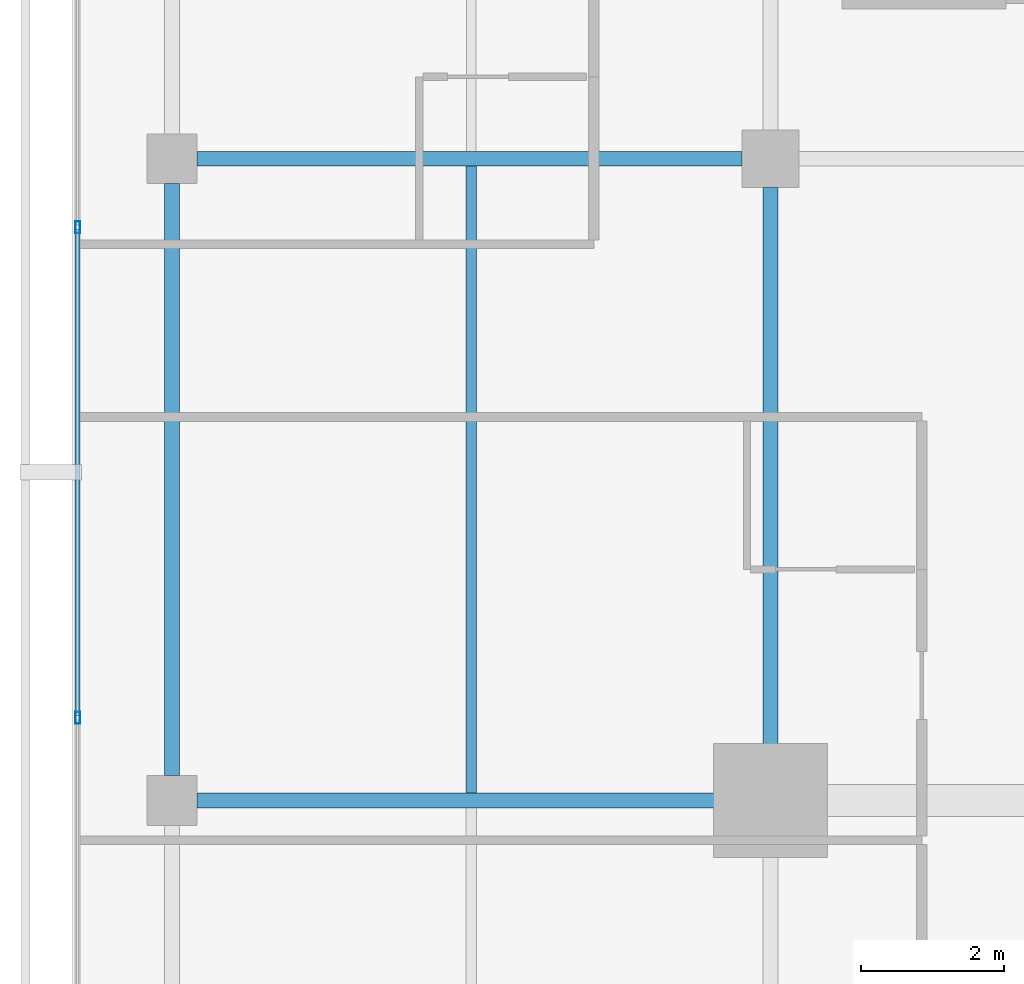
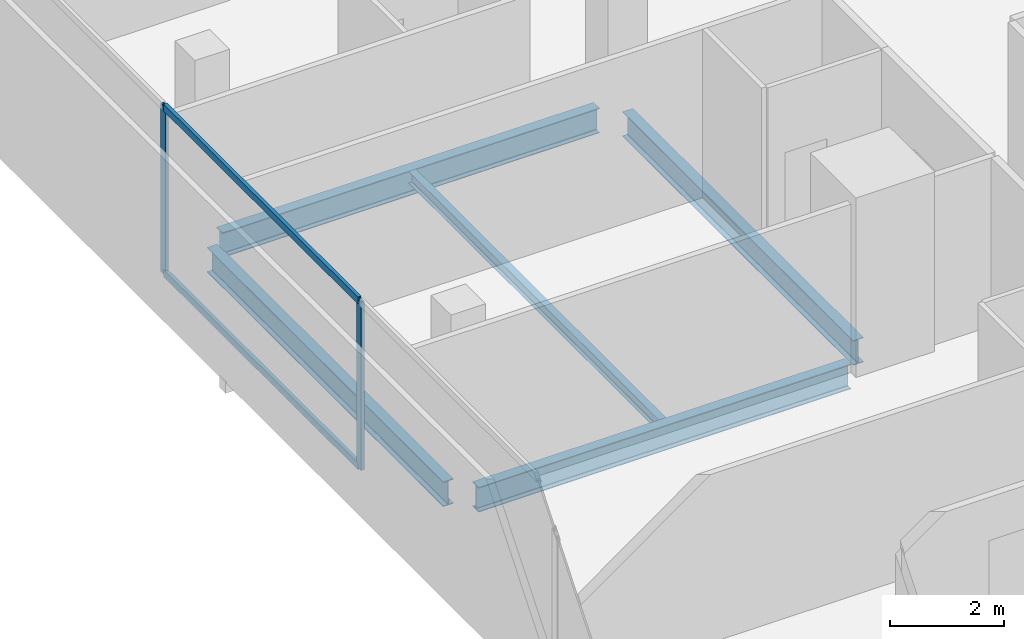
# One storey, part 8 of 26: 5 beams, 4 members, 1 element without a shape of its own.
"""IFC4 building model written with IfcOpenShell, lengths in metres."""

from ifc_helpers import new_model, si_unit, direction, frame, origin, origin_2d, place, context, subcontext, project, spatial, hollow_rectangle, i_section, extrude, material, layer, layer_set, material_profile, profile_set, type_object, element, aggregate, save


model = new_model("IFC4")

# Units and contexts
model_context = context("Model", 3, precision=1e-05, world=origin(), true_north=direction((0.0, 1.0)))
body_context = subcontext(model_context, "Body", "Model", "MODEL_VIEW")
ifc_project = project(units=[si_unit("LENGTHUNIT", "METRE"), si_unit("AREAUNIT", "SQUARE_METRE"), si_unit("VOLUMEUNIT", "CUBIC_METRE"), si_unit("PLANEANGLEUNIT", "RADIAN"), si_unit("MASSUNIT", "GRAM", prefix="KILO")], contexts=[model_context])

# Site, building, storey
site_placement = place(None, origin())
site = spatial("IfcSite", under=ifc_project, at=site_placement, CompositionType="ELEMENT")
building_placement = place(site_placement, origin())
building = spatial("IfcBuilding", under=site, at=building_placement, Name="Maruvema Waterfront Hotel and Observation Tower", CompositionType="ELEMENT")
storey_placement = place(building_placement, frame((0.0, 0.0, 266.35009765625)))
storey = spatial("IfcBuildingStorey", under=building, at=storey_placement, Name="L65", CompositionType="ELEMENT", Elevation=266.35009765625)

# Curtain wall, members
ifc_material_1 = material(Name="Anodised bronze aluminium and solar-control low-E IGU", Category="aluminium")
ifc_layer = layer(ifc_material_1, 0.159912109375, Name="Zone 3 Champagne Inner Thermal Curtain Wall System CW-04")
ifc_layer_set = layer_set([ifc_layer], Name="Anodised bronze aluminium and solar-control low-E IGU")
curtain_wall_type = type_object("IfcCurtainWallType", Name="Zone 3 Champagne Inner Thermal Curtain Wall System CW-04", PredefinedType="USERDEFINED", material=ifc_layer_set)
curtain_wall_placement = place(storey_placement, origin())
curtain_wall = element("IfcCurtainWall", 1, at=curtain_wall_placement, inside=storey, type_object=curtain_wall_type, Name="L65 Curtain Wall CW-L65-W", ObjectType="UNITISED CURTAIN WALL", PredefinedType="USERDEFINED")
ifc_material_2 = material(Name="Anodised architectural bronze aluminium", Category="aluminium")
ifc_material_profile_1 = material_profile(ifc_material_2, hollow_rectangle(XDim=0.070068359375, YDim=0.14990234375, WallThickness=0.00390625, at=origin_2d()), Name="ALU-T70x150")
ifc_profile_set_1 = profile_set([ifc_material_profile_1], Name="Anodised architectural bronze aluminium")
member_type_1 = type_object("IfcMemberType", Name="Curtain Wall Horizontal Transom ALU-T70x150", PredefinedType="USERDEFINED", material=ifc_profile_set_1)
member_1_placement = place(storey_placement, frame((15.47998046875, 35.010009765625, 0.02978515625), z_axis=(0.0, -1.0, 0.0), x_axis=(1.0, 0.0, 0.0)))
member_1 = element("IfcMember", 2, at=member_1_placement, type_object=member_type_1, Name="CW-04 transom 3.1", ObjectType="TRANSOM", PredefinedType="USERDEFINED", context=body_context, shape_type="SweptSolid", body=[
    extrude(hollow_rectangle(XDim=0.070068359375, YDim=0.14990234375, WallThickness=0.00390625, at=origin_2d()), origin(), (0.0, 0.0, 1.0), 6.820068359375),
])
member_2_placement = place(storey_placement, frame((15.47998046875, 35.010009765625, 3.579833984375), z_axis=(0.0, -1.0, 0.0), x_axis=(1.0, 0.0, 0.0)))
member_2 = element("IfcMember", 3, at=member_2_placement, type_object=member_type_1, Name="CW-04 transom 3.2", ObjectType="TRANSOM", PredefinedType="USERDEFINED", context=body_context, shape_type="SweptSolid", body=[
    extrude(hollow_rectangle(XDim=0.070068359375, YDim=0.14990234375, WallThickness=0.00390625, at=origin_2d()), origin(), (0.0, 0.0, 1.0), 6.820068359375),
])
ifc_material_3 = material(Name="Anodised architectural bronze aluminium", Category="aluminium")
ifc_material_profile_2 = material_profile(ifc_material_3, hollow_rectangle(XDim=0.06494140625, YDim=0.1650390625, WallThickness=0.00390625, at=origin_2d()), Name="ALU-M65x165")
ifc_profile_set_2 = profile_set([ifc_material_profile_2], Name="Anodised architectural bronze aluminium")
member_type_2 = type_object("IfcMemberType", Name="Curtain Wall Primary Mullion ALU-M65x165", PredefinedType="MULLION", material=ifc_profile_set_2)
member_3_placement = place(storey_placement, frame((15.47998046875, 35.0400390625, 0.0), z_axis=(0.0, 0.0, 1.0), x_axis=(1.0, 0.0, 0.0)))
member_3 = element("IfcMember", 4, at=member_3_placement, type_object=member_type_2, Name="CW-04 mullion 3", PredefinedType="MULLION", context=body_context, shape_type="SweptSolid", body=[
    extrude(hollow_rectangle(XDim=0.06494140625, YDim=0.1650390625, WallThickness=0.00390625, at=origin_2d()), origin(), (0.0, 0.0, 1.0), 3.60986328125),
])
member_4_placement = place(storey_placement, frame((15.47998046875, 28.159912109375, 0.0), z_axis=(0.0, 0.0, 1.0), x_axis=(1.0, 0.0, 0.0)))
member_4 = element("IfcMember", 5, at=member_4_placement, type_object=member_type_2, Name="CW-04 mullion 4", PredefinedType="MULLION", context=body_context, shape_type="SweptSolid", body=[
    extrude(hollow_rectangle(XDim=0.06494140625, YDim=0.1650390625, WallThickness=0.00390625, at=origin_2d()), origin(), (0.0, 0.0, 1.0), 3.60986328125),
])
aggregate(curtain_wall, [member_3, member_4, member_1, member_2])

# Beams
ifc_material_4 = material(Name="Steel ASTM A572 Grade 50", Category="steel")
ifc_material_profile_3 = material_profile(ifc_material_4, i_section(OverallWidth=0.208984375, OverallDepth=0.532958984375, WebThickness=0.01025390625, FlangeThickness=0.015625, FilletRadius=0.014892578125, at=origin_2d()), Name="W530x92.0")
ifc_profile_set_3 = profile_set([ifc_material_profile_3], Name="Steel ASTM A572 Grade 50")
beam_type_1 = type_object("IfcBeamType", Name="Primary Floor Girder W530x92.0", PredefinedType="BEAM", material=ifc_profile_set_3)
beam_1_placement = place(storey_placement, frame((17.14990234375, 27.0, -0.506591796875), z_axis=(1.0, 0.0, 0.0), x_axis=(0.0, 1.0, 0.0)))
element("IfcBeam", 6, at=beam_1_placement, inside=storey, type_object=beam_type_1, Name="L65 Floor Girder EW-09", PredefinedType="BEAM", context=body_context, shape_type="SweptSolid", body=[
    extrude(i_section(OverallWidth=0.208984375, OverallDepth=0.532958984375, WebThickness=0.01025390625, FlangeThickness=0.015625, FilletRadius=0.014892578125, at=origin_2d()), origin(), (0.0, 0.0, 1.0), 7.550048828125),
])
beam_2_placement = place(storey_placement, frame((17.14990234375, 36.0, -0.506591796875), z_axis=(1.0, 0.0, 0.0), x_axis=(0.0, 1.0, 0.0)))
element("IfcBeam", 7, at=beam_2_placement, inside=storey, type_object=beam_type_1, Name="L65 Floor Girder EW-12", PredefinedType="BEAM", context=body_context, shape_type="SweptSolid", body=[
    extrude(i_section(OverallWidth=0.208984375, OverallDepth=0.532958984375, WebThickness=0.01025390625, FlangeThickness=0.015625, FilletRadius=0.014892578125, at=origin_2d()), origin(), (0.0, 0.0, 1.0), 7.650146484375),
])
beam_3_placement = place(storey_placement, frame((16.800048828125, 27.35009765625, -0.506591796875), z_axis=(0.0, 1.0, 0.0), x_axis=(-1.0, 0.0, 0.0)))
element("IfcBeam", 8, at=beam_3_placement, inside=storey, type_object=beam_type_1, Name="L65 Floor Girder NS-02", PredefinedType="BEAM", context=body_context, shape_type="SweptSolid", body=[
    extrude(i_section(OverallWidth=0.208984375, OverallDepth=0.532958984375, WebThickness=0.01025390625, FlangeThickness=0.015625, FilletRadius=0.014892578125, at=origin_2d()), origin(), (0.0, 0.0, 1.0), 8.2998046875),
])
beam_4_placement = place(storey_placement, frame((25.199951171875, 27.5, -0.506591796875), z_axis=(0.0, 1.0, 0.0), x_axis=(-1.0, 0.0, 0.0)))
element("IfcBeam", 9, at=beam_4_placement, inside=storey, type_object=beam_type_1, Name="L65 Floor Girder NS-06", PredefinedType="BEAM", context=body_context, shape_type="SweptSolid", body=[
    extrude(i_section(OverallWidth=0.208984375, OverallDepth=0.532958984375, WebThickness=0.01025390625, FlangeThickness=0.015625, FilletRadius=0.014892578125, at=origin_2d()), origin(), (0.0, 0.0, 1.0), 8.10009765625),
])
ifc_material_5 = material(Name="Steel ASTM A572 Grade 50", Category="steel")
ifc_material_profile_4 = material_profile(ifc_material_5, i_section(OverallWidth=0.14599609375, OverallDepth=0.258056640625, WebThickness=0.006103515625, FlangeThickness=0.009033203125, FilletRadius=0.012939453125, at=origin_2d()), Name="W250x32.7")
ifc_profile_set_4 = profile_set([ifc_material_profile_4], Name="Steel ASTM A572 Grade 50")
beam_type_2 = type_object("IfcBeamType", Name="Secondary Floor Joist W250x32.7", PredefinedType="JOIST", material=ifc_profile_set_4)
beam_5_placement = place(storey_placement, frame((21.0, 27.1044921875, -0.369140625), z_axis=(0.0, 1.0, 0.0), x_axis=(-1.0, 0.0, 0.0)))
element("IfcBeam", 10, at=beam_5_placement, inside=storey, type_object=beam_type_2, Name="L65 Secondary Floor Joist JS-02", PredefinedType="JOIST", context=body_context, shape_type="SweptSolid", body=[
    extrude(i_section(OverallWidth=0.14599609375, OverallDepth=0.258056640625, WebThickness=0.006103515625, FlangeThickness=0.009033203125, FilletRadius=0.012939453125, at=origin_2d()), origin(), (0.0, 0.0, 1.0), 8.791015625),
])

save(model, "model.ifc")
